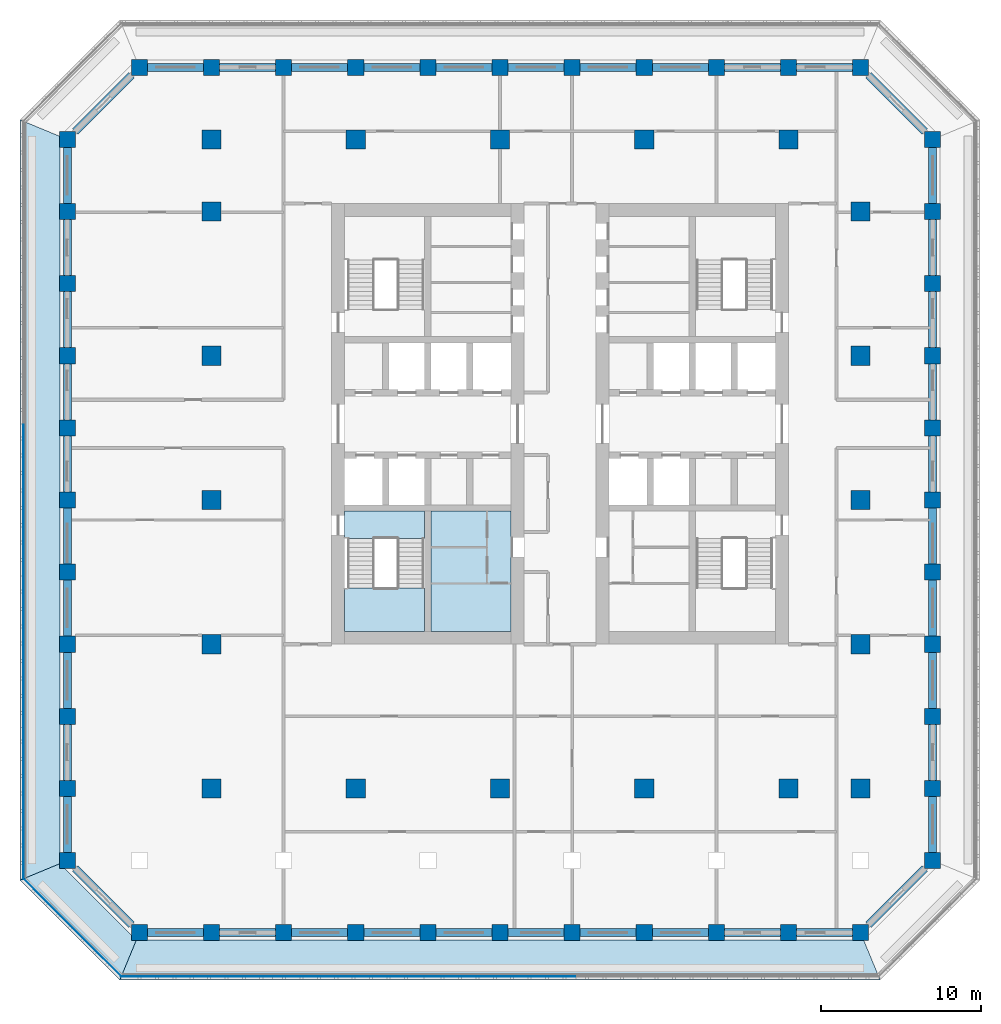
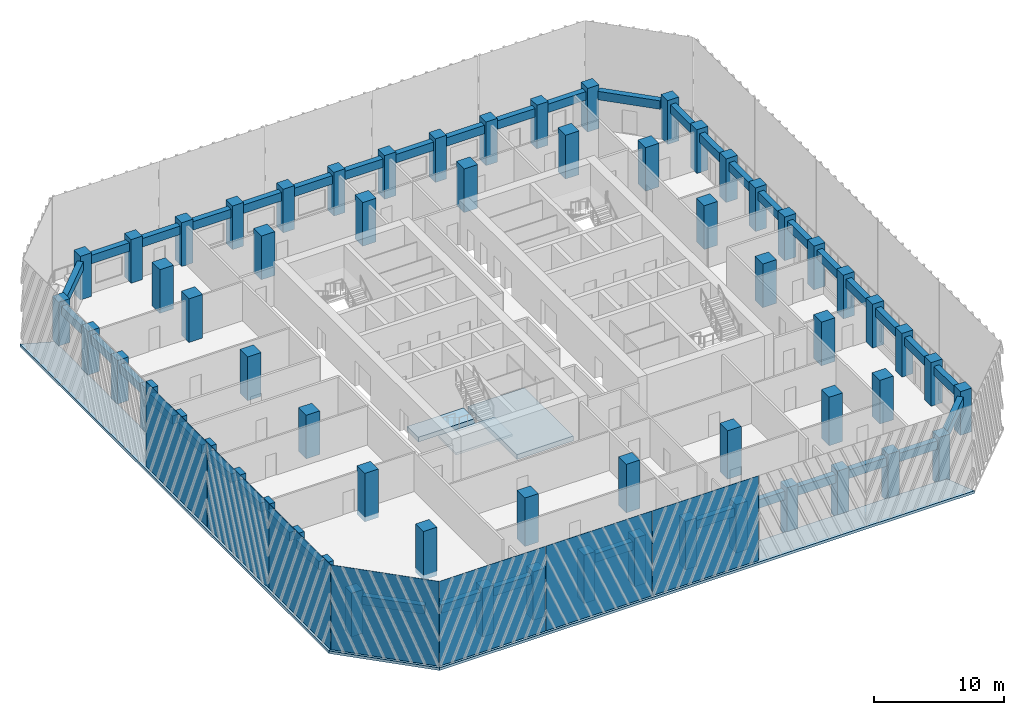
# One storey, part 1 of 17: 63 columns, 44 beams, 7 plates, 6 slabs, 1 element without a shape of its own.
"""IFC4 building model written with IfcOpenShell, lengths in metres."""

from ifc_helpers import new_model, si_unit, direction, frame, origin, origin_2d, place, context, subcontext, project, spatial, polyline, rectangle, outline, extrude, material, layer, layer_set, material_profile, profile_set, type_object, element, aggregate, save


model = new_model("IFC4")

# Units and contexts
model_context = context("Model", 3, precision=1e-05, world=origin(), true_north=direction((0.0, 1.0)))
body_context = subcontext(model_context, "Body", "Model", "MODEL_VIEW")
ifc_project = project(units=[si_unit("LENGTHUNIT", "METRE"), si_unit("AREAUNIT", "SQUARE_METRE"), si_unit("VOLUMEUNIT", "CUBIC_METRE"), si_unit("PLANEANGLEUNIT", "RADIAN"), si_unit("MASSUNIT", "GRAM", prefix="KILO")], contexts=[model_context])

# Site, building, storey
site_placement = place(None, origin())
site = spatial("IfcSite", under=ifc_project, at=site_placement, CompositionType="ELEMENT")
building_placement = place(site_placement, origin())
building = spatial("IfcBuilding", under=site, at=building_placement, Name="Corbel Stack Research Tower", CompositionType="ELEMENT")
storey_placement = place(building_placement, frame((0.0, 0.0, 156.800048828125)))
storey = spatial("IfcBuildingStorey", under=building, at=storey_placement, Name="L35", CompositionType="ELEMENT", Elevation=156.800048828125)

# Columns
ifc_material_1 = material(Name="Concrete C60/75", Category="concrete")
ifc_material_profile_1 = material_profile(ifc_material_1, rectangle(XDim=1.0, YDim=1.0, at=origin_2d()), Name="RC 1000 x 1000")
ifc_profile_set_1 = profile_set([ifc_material_profile_1], Name="Concrete C60/75")
column_type_1 = type_object("IfcColumnType", Name="C-1000-60", PredefinedType="COLUMN", material=ifc_profile_set_1)
for number, where, z_axis, x_axis, name in (
    (1, (-27.0, -22.5, 0.0), (0.0, 0.0, 1.0), (1.0, 0.0, 0.0), "Column 2/C L35"),
    (2, (-27.0, -18.0, 0.0), (0.0, 0.0, 1.0), (1.0, 0.0, 0.0), "Column 2/D L35"),
    (3, (-27.0, -13.5, 0.0), (0.0, 0.0, 1.0), (1.0, 0.0, 0.0), "Column 2/E L35"),
    (4, (-27.0, -9.0, 0.0), (0.0, 0.0, 1.0), (1.0, 0.0, 0.0), "Column 2/F L35"),
    (5, (-27.0, -4.5, 0.0), (0.0, 0.0, 1.0), (1.0, 0.0, 0.0), "Column 2/G L35"),
    (6, (-27.0, 0.0, 0.0), (0.0, 0.0, 1.0), (1.0, 0.0, 0.0), "Column 2/H L35"),
    (7, (-27.0, 4.5, 0.0), (0.0, 0.0, 1.0), (1.0, 0.0, 0.0), "Column 2/J L35"),
    (8, (-27.0, 9.0, 0.0), (0.0, 0.0, 1.0), (1.0, 0.0, 0.0), "Column 2/K L35"),
    (9, (-27.0, 13.5, 0.0), (0.0, 0.0, 1.0), (1.0, 0.0, 0.0), "Column 2/L L35"),
    (10, (-27.0, 18.0, 0.0), (0.0, 0.0, 1.0), (1.0, 0.0, 0.0), "Column 2/M L35"),
    (11, (-27.0, 22.5, 0.0), (0.0, 0.0, 1.0), (1.0, 0.0, 0.0), "Column 2/N L35"),
):
    element("IfcColumn", number, at=place(storey_placement, frame(where, z_axis=z_axis, x_axis=x_axis)), inside=storey, type_object=column_type_1, Name=name, PredefinedType="COLUMN", context=body_context, shape_type="SweptSolid", body=[
        extrude(rectangle(XDim=1.0, YDim=1.0, at=origin_2d()), origin(), (0.0, 0.0, 1.0), 4.099853515625),
    ])
column_1_placement = place(storey_placement, frame((-22.5, -27.0, -0.449951171875), z_axis=(0.0, 0.0, 1.0), x_axis=(1.0, 0.0, 0.0)))
element("IfcColumn", 12, at=column_1_placement, inside=storey, type_object=column_type_1, Name="Column 3/B L35", PredefinedType="COLUMN", context=body_context, shape_type="SweptSolid", body=[
    extrude(rectangle(XDim=1.0, YDim=1.0, at=origin_2d()), origin(), (0.0, 0.0, 1.0), 4.5498046875),
])
column_2_placement = place(storey_placement, frame((-22.5, 27.0, 0.0), z_axis=(0.0, 0.0, 1.0), x_axis=(1.0, 0.0, 0.0)))
element("IfcColumn", 13, at=column_2_placement, inside=storey, type_object=column_type_1, Name="Column 3/P L35", PredefinedType="COLUMN", context=body_context, shape_type="SweptSolid", body=[
    extrude(rectangle(XDim=1.0, YDim=1.0, at=origin_2d()), origin(), (0.0, 0.0, 1.0), 4.099853515625),
])
column_3_placement = place(storey_placement, frame((-18.0, -27.0, -0.449951171875), z_axis=(0.0, 0.0, 1.0), x_axis=(1.0, 0.0, 0.0)))
element("IfcColumn", 14, at=column_3_placement, inside=storey, type_object=column_type_1, Name="Column 4/B L35", PredefinedType="COLUMN", context=body_context, shape_type="SweptSolid", body=[
    extrude(rectangle(XDim=1.0, YDim=1.0, at=origin_2d()), origin(), (0.0, 0.0, 1.0), 4.5498046875),
])
column_4_placement = place(storey_placement, frame((-18.0, 27.0, 0.0), z_axis=(0.0, 0.0, 1.0), x_axis=(1.0, 0.0, 0.0)))
element("IfcColumn", 15, at=column_4_placement, inside=storey, type_object=column_type_1, Name="Column 4/P L35", PredefinedType="COLUMN", context=body_context, shape_type="SweptSolid", body=[
    extrude(rectangle(XDim=1.0, YDim=1.0, at=origin_2d()), origin(), (0.0, 0.0, 1.0), 4.099853515625),
])
column_5_placement = place(storey_placement, frame((-13.5, -27.0, -0.449951171875), z_axis=(0.0, 0.0, 1.0), x_axis=(1.0, 0.0, 0.0)))
element("IfcColumn", 16, at=column_5_placement, inside=storey, type_object=column_type_1, Name="Column 5/B L35", PredefinedType="COLUMN", context=body_context, shape_type="SweptSolid", body=[
    extrude(rectangle(XDim=1.0, YDim=1.0, at=origin_2d()), origin(), (0.0, 0.0, 1.0), 4.5498046875),
])
column_6_placement = place(storey_placement, frame((-13.5, 27.0, 0.0), z_axis=(0.0, 0.0, 1.0), x_axis=(1.0, 0.0, 0.0)))
element("IfcColumn", 17, at=column_6_placement, inside=storey, type_object=column_type_1, Name="Column 5/P L35", PredefinedType="COLUMN", context=body_context, shape_type="SweptSolid", body=[
    extrude(rectangle(XDim=1.0, YDim=1.0, at=origin_2d()), origin(), (0.0, 0.0, 1.0), 4.099853515625),
])
column_7_placement = place(storey_placement, frame((-9.0, -27.0, -0.449951171875), z_axis=(0.0, 0.0, 1.0), x_axis=(1.0, 0.0, 0.0)))
element("IfcColumn", 18, at=column_7_placement, inside=storey, type_object=column_type_1, Name="Column 6/B L35", PredefinedType="COLUMN", context=body_context, shape_type="SweptSolid", body=[
    extrude(rectangle(XDim=1.0, YDim=1.0, at=origin_2d()), origin(), (0.0, 0.0, 1.0), 4.5498046875),
])
column_8_placement = place(storey_placement, frame((-9.0, 27.0, 0.0), z_axis=(0.0, 0.0, 1.0), x_axis=(1.0, 0.0, 0.0)))
element("IfcColumn", 19, at=column_8_placement, inside=storey, type_object=column_type_1, Name="Column 6/P L35", PredefinedType="COLUMN", context=body_context, shape_type="SweptSolid", body=[
    extrude(rectangle(XDim=1.0, YDim=1.0, at=origin_2d()), origin(), (0.0, 0.0, 1.0), 4.099853515625),
])
column_9_placement = place(storey_placement, frame((-4.5, -27.0, -0.449951171875), z_axis=(0.0, 0.0, 1.0), x_axis=(1.0, 0.0, 0.0)))
element("IfcColumn", 20, at=column_9_placement, inside=storey, type_object=column_type_1, Name="Column 7/B L35", PredefinedType="COLUMN", context=body_context, shape_type="SweptSolid", body=[
    extrude(rectangle(XDim=1.0, YDim=1.0, at=origin_2d()), origin(), (0.0, 0.0, 1.0), 4.5498046875),
])
column_10_placement = place(storey_placement, frame((-4.5, 27.0, 0.0), z_axis=(0.0, 0.0, 1.0), x_axis=(1.0, 0.0, 0.0)))
element("IfcColumn", 21, at=column_10_placement, inside=storey, type_object=column_type_1, Name="Column 7/P L35", PredefinedType="COLUMN", context=body_context, shape_type="SweptSolid", body=[
    extrude(rectangle(XDim=1.0, YDim=1.0, at=origin_2d()), origin(), (0.0, 0.0, 1.0), 4.099853515625),
])
column_11_placement = place(storey_placement, frame((0.0, -27.0, -0.449951171875), z_axis=(0.0, 0.0, 1.0), x_axis=(1.0, 0.0, 0.0)))
element("IfcColumn", 22, at=column_11_placement, inside=storey, type_object=column_type_1, Name="Column 8/B L35", PredefinedType="COLUMN", context=body_context, shape_type="SweptSolid", body=[
    extrude(rectangle(XDim=1.0, YDim=1.0, at=origin_2d()), origin(), (0.0, 0.0, 1.0), 4.5498046875),
])
column_12_placement = place(storey_placement, frame((0.0, 27.0, 0.0), z_axis=(0.0, 0.0, 1.0), x_axis=(1.0, 0.0, 0.0)))
element("IfcColumn", 23, at=column_12_placement, inside=storey, type_object=column_type_1, Name="Column 8/P L35", PredefinedType="COLUMN", context=body_context, shape_type="SweptSolid", body=[
    extrude(rectangle(XDim=1.0, YDim=1.0, at=origin_2d()), origin(), (0.0, 0.0, 1.0), 4.099853515625),
])
column_13_placement = place(storey_placement, frame((4.5, -27.0, -0.449951171875), z_axis=(0.0, 0.0, 1.0), x_axis=(1.0, 0.0, 0.0)))
element("IfcColumn", 24, at=column_13_placement, inside=storey, type_object=column_type_1, Name="Column 9/B L35", PredefinedType="COLUMN", context=body_context, shape_type="SweptSolid", body=[
    extrude(rectangle(XDim=1.0, YDim=1.0, at=origin_2d()), origin(), (0.0, 0.0, 1.0), 4.5498046875),
])
column_14_placement = place(storey_placement, frame((4.5, 27.0, 0.0), z_axis=(0.0, 0.0, 1.0), x_axis=(1.0, 0.0, 0.0)))
element("IfcColumn", 25, at=column_14_placement, inside=storey, type_object=column_type_1, Name="Column 9/P L35", PredefinedType="COLUMN", context=body_context, shape_type="SweptSolid", body=[
    extrude(rectangle(XDim=1.0, YDim=1.0, at=origin_2d()), origin(), (0.0, 0.0, 1.0), 4.099853515625),
])
column_15_placement = place(storey_placement, frame((9.0, -27.0, -0.449951171875), z_axis=(0.0, 0.0, 1.0), x_axis=(1.0, 0.0, 0.0)))
element("IfcColumn", 26, at=column_15_placement, inside=storey, type_object=column_type_1, Name="Column 10/B L35", PredefinedType="COLUMN", context=body_context, shape_type="SweptSolid", body=[
    extrude(rectangle(XDim=1.0, YDim=1.0, at=origin_2d()), origin(), (0.0, 0.0, 1.0), 4.5498046875),
])
column_16_placement = place(storey_placement, frame((9.0, 27.0, 0.0), z_axis=(0.0, 0.0, 1.0), x_axis=(1.0, 0.0, 0.0)))
element("IfcColumn", 27, at=column_16_placement, inside=storey, type_object=column_type_1, Name="Column 10/P L35", PredefinedType="COLUMN", context=body_context, shape_type="SweptSolid", body=[
    extrude(rectangle(XDim=1.0, YDim=1.0, at=origin_2d()), origin(), (0.0, 0.0, 1.0), 4.099853515625),
])
column_17_placement = place(storey_placement, frame((13.5, -27.0, -0.449951171875), z_axis=(0.0, 0.0, 1.0), x_axis=(1.0, 0.0, 0.0)))
element("IfcColumn", 28, at=column_17_placement, inside=storey, type_object=column_type_1, Name="Column 11/B L35", PredefinedType="COLUMN", context=body_context, shape_type="SweptSolid", body=[
    extrude(rectangle(XDim=1.0, YDim=1.0, at=origin_2d()), origin(), (0.0, 0.0, 1.0), 4.5498046875),
])
column_18_placement = place(storey_placement, frame((13.5, 27.0, 0.0), z_axis=(0.0, 0.0, 1.0), x_axis=(1.0, 0.0, 0.0)))
element("IfcColumn", 29, at=column_18_placement, inside=storey, type_object=column_type_1, Name="Column 11/P L35", PredefinedType="COLUMN", context=body_context, shape_type="SweptSolid", body=[
    extrude(rectangle(XDim=1.0, YDim=1.0, at=origin_2d()), origin(), (0.0, 0.0, 1.0), 4.099853515625),
])
column_19_placement = place(storey_placement, frame((18.0, -27.0, -0.449951171875), z_axis=(0.0, 0.0, 1.0), x_axis=(1.0, 0.0, 0.0)))
element("IfcColumn", 30, at=column_19_placement, inside=storey, type_object=column_type_1, Name="Column 12/B L35", PredefinedType="COLUMN", context=body_context, shape_type="SweptSolid", body=[
    extrude(rectangle(XDim=1.0, YDim=1.0, at=origin_2d()), origin(), (0.0, 0.0, 1.0), 4.5498046875),
])
column_20_placement = place(storey_placement, frame((18.0, 27.0, 0.0), z_axis=(0.0, 0.0, 1.0), x_axis=(1.0, 0.0, 0.0)))
element("IfcColumn", 31, at=column_20_placement, inside=storey, type_object=column_type_1, Name="Column 12/P L35", PredefinedType="COLUMN", context=body_context, shape_type="SweptSolid", body=[
    extrude(rectangle(XDim=1.0, YDim=1.0, at=origin_2d()), origin(), (0.0, 0.0, 1.0), 4.099853515625),
])
column_21_placement = place(storey_placement, frame((22.5, -27.0, -0.449951171875), z_axis=(0.0, 0.0, 1.0), x_axis=(1.0, 0.0, 0.0)))
element("IfcColumn", 32, at=column_21_placement, inside=storey, type_object=column_type_1, Name="Column 13/B L35", PredefinedType="COLUMN", context=body_context, shape_type="SweptSolid", body=[
    extrude(rectangle(XDim=1.0, YDim=1.0, at=origin_2d()), origin(), (0.0, 0.0, 1.0), 4.5498046875),
])
for number, where, z_axis, x_axis, name in (
    (33, (22.5, 27.0, 0.0), (0.0, 0.0, 1.0), (1.0, 0.0, 0.0), "Column 13/P L35"),
    (34, (27.0, -22.5, 0.0), (0.0, 0.0, 1.0), (1.0, 0.0, 0.0), "Column 14/C L35"),
    (35, (27.0, -18.0, 0.0), (0.0, 0.0, 1.0), (1.0, 0.0, 0.0), "Column 14/D L35"),
    (36, (27.0, -13.5, 0.0), (0.0, 0.0, 1.0), (1.0, 0.0, 0.0), "Column 14/E L35"),
    (37, (27.0, -9.0, 0.0), (0.0, 0.0, 1.0), (1.0, 0.0, 0.0), "Column 14/F L35"),
    (38, (27.0, -4.5, 0.0), (0.0, 0.0, 1.0), (1.0, 0.0, 0.0), "Column 14/G L35"),
    (39, (27.0, 0.0, 0.0), (0.0, 0.0, 1.0), (1.0, 0.0, 0.0), "Column 14/H L35"),
    (40, (27.0, 4.5, 0.0), (0.0, 0.0, 1.0), (1.0, 0.0, 0.0), "Column 14/J L35"),
    (41, (27.0, 9.0, 0.0), (0.0, 0.0, 1.0), (1.0, 0.0, 0.0), "Column 14/K L35"),
    (42, (27.0, 13.5, 0.0), (0.0, 0.0, 1.0), (1.0, 0.0, 0.0), "Column 14/L L35"),
    (43, (27.0, 18.0, 0.0), (0.0, 0.0, 1.0), (1.0, 0.0, 0.0), "Column 14/M L35"),
    (44, (27.0, 22.5, 0.0), (0.0, 0.0, 1.0), (1.0, 0.0, 0.0), "Column 14/N L35"),
):
    element("IfcColumn", number, at=place(storey_placement, frame(where, z_axis=z_axis, x_axis=x_axis)), inside=storey, type_object=column_type_1, Name=name, PredefinedType="COLUMN", context=body_context, shape_type="SweptSolid", body=[
        extrude(rectangle(XDim=1.0, YDim=1.0, at=origin_2d()), origin(), (0.0, 0.0, 1.0), 4.099853515625),
    ])
ifc_material_2 = material(Name="Concrete C60/75", Category="concrete")
ifc_material_profile_2 = material_profile(ifc_material_2, rectangle(XDim=1.199951171875, YDim=1.199951171875, at=origin_2d()), Name="RC 1200 x 1200")
ifc_profile_set_2 = profile_set([ifc_material_profile_2], Name="Concrete C60/75")
column_type_2 = type_object("IfcColumnType", Name="C-1200-60", PredefinedType="COLUMN", material=ifc_profile_set_2)
for number, where, z_axis, x_axis, name in (
    (45, (-18.0, -18.0, -0.449951171875), (0.0, 0.0, 1.0), (1.0, 0.0, 0.0), "Column 4/D L35"),
    (46, (-18.0, -9.0, -0.449951171875), (0.0, 0.0, 1.0), (1.0, 0.0, 0.0), "Column 4/F L35"),
):
    element("IfcColumn", number, at=place(storey_placement, frame(where, z_axis=z_axis, x_axis=x_axis)), inside=storey, type_object=column_type_2, Name=name, PredefinedType="COLUMN", context=body_context, shape_type="SweptSolid", body=[
        extrude(rectangle(XDim=1.199951171875, YDim=1.199951171875, at=origin_2d()), origin(), (0.0, 0.0, 1.0), 4.5498046875),
    ])
for number, where, z_axis, x_axis, name in (
    (47, (-18.0, 0.0, 0.0), (0.0, 0.0, 1.0), (1.0, 0.0, 0.0), "Column 4/H L35"),
    (48, (-18.0, 9.0, 0.0), (0.0, 0.0, 1.0), (1.0, 0.0, 0.0), "Column 4/K L35"),
    (49, (-18.0, 18.0, 0.0), (0.0, 0.0, 1.0), (1.0, 0.0, 0.0), "Column 4/M L35"),
    (50, (-18.0, 22.5, 0.0), (0.0, 0.0, 1.0), (1.0, 0.0, 0.0), "Column 4/N L35"),
):
    element("IfcColumn", number, at=place(storey_placement, frame(where, z_axis=z_axis, x_axis=x_axis)), inside=storey, type_object=column_type_2, Name=name, PredefinedType="COLUMN", context=body_context, shape_type="SweptSolid", body=[
        extrude(rectangle(XDim=1.199951171875, YDim=1.199951171875, at=origin_2d()), origin(), (0.0, 0.0, 1.0), 4.099853515625),
    ])
column_22_placement = place(storey_placement, frame((-9.0, -18.0, -0.449951171875), z_axis=(0.0, 0.0, 1.0), x_axis=(1.0, 0.0, 0.0)))
element("IfcColumn", 51, at=column_22_placement, inside=storey, type_object=column_type_2, Name="Column 6/D L35", PredefinedType="COLUMN", context=body_context, shape_type="SweptSolid", body=[
    extrude(rectangle(XDim=1.199951171875, YDim=1.199951171875, at=origin_2d()), origin(), (0.0, 0.0, 1.0), 4.5498046875),
])
column_23_placement = place(storey_placement, frame((-9.0, 22.5, 0.0), z_axis=(0.0, 0.0, 1.0), x_axis=(1.0, 0.0, 0.0)))
element("IfcColumn", 52, at=column_23_placement, inside=storey, type_object=column_type_2, Name="Column 6/N L35", PredefinedType="COLUMN", context=body_context, shape_type="SweptSolid", body=[
    extrude(rectangle(XDim=1.199951171875, YDim=1.199951171875, at=origin_2d()), origin(), (0.0, 0.0, 1.0), 4.099853515625),
])
column_24_placement = place(storey_placement, frame((0.0, -18.0, -0.449951171875), z_axis=(0.0, 0.0, 1.0), x_axis=(1.0, 0.0, 0.0)))
element("IfcColumn", 53, at=column_24_placement, inside=storey, type_object=column_type_2, Name="Column 8/D L35", PredefinedType="COLUMN", context=body_context, shape_type="SweptSolid", body=[
    extrude(rectangle(XDim=1.199951171875, YDim=1.199951171875, at=origin_2d()), origin(), (0.0, 0.0, 1.0), 4.5498046875),
])
column_25_placement = place(storey_placement, frame((0.0, 22.5, 0.0), z_axis=(0.0, 0.0, 1.0), x_axis=(1.0, 0.0, 0.0)))
element("IfcColumn", 54, at=column_25_placement, inside=storey, type_object=column_type_2, Name="Column 8/N L35", PredefinedType="COLUMN", context=body_context, shape_type="SweptSolid", body=[
    extrude(rectangle(XDim=1.199951171875, YDim=1.199951171875, at=origin_2d()), origin(), (0.0, 0.0, 1.0), 4.099853515625),
])
column_26_placement = place(storey_placement, frame((9.0, -18.0, -0.449951171875), z_axis=(0.0, 0.0, 1.0), x_axis=(1.0, 0.0, 0.0)))
element("IfcColumn", 55, at=column_26_placement, inside=storey, type_object=column_type_2, Name="Column 10/D L35", PredefinedType="COLUMN", context=body_context, shape_type="SweptSolid", body=[
    extrude(rectangle(XDim=1.199951171875, YDim=1.199951171875, at=origin_2d()), origin(), (0.0, 0.0, 1.0), 4.5498046875),
])
column_27_placement = place(storey_placement, frame((9.0, 22.5, 0.0), z_axis=(0.0, 0.0, 1.0), x_axis=(1.0, 0.0, 0.0)))
element("IfcColumn", 56, at=column_27_placement, inside=storey, type_object=column_type_2, Name="Column 10/N L35", PredefinedType="COLUMN", context=body_context, shape_type="SweptSolid", body=[
    extrude(rectangle(XDim=1.199951171875, YDim=1.199951171875, at=origin_2d()), origin(), (0.0, 0.0, 1.0), 4.099853515625),
])
column_28_placement = place(storey_placement, frame((18.0, -18.0, -0.449951171875), z_axis=(0.0, 0.0, 1.0), x_axis=(1.0, 0.0, 0.0)))
element("IfcColumn", 57, at=column_28_placement, inside=storey, type_object=column_type_2, Name="Column 12/D L35", PredefinedType="COLUMN", context=body_context, shape_type="SweptSolid", body=[
    extrude(rectangle(XDim=1.199951171875, YDim=1.199951171875, at=origin_2d()), origin(), (0.0, 0.0, 1.0), 4.5498046875),
])
for number, where, z_axis, x_axis, name in (
    (58, (18.0, 22.5, 0.0), (0.0, 0.0, 1.0), (1.0, 0.0, 0.0), "Column 12/N L35"),
    (59, (22.5, -18.0, 0.0), (0.0, 0.0, 1.0), (1.0, 0.0, 0.0), "Column 13/D L35"),
    (60, (22.5, -9.0, 0.0), (0.0, 0.0, 1.0), (1.0, 0.0, 0.0), "Column 13/F L35"),
    (61, (22.5, 0.0, 0.0), (0.0, 0.0, 1.0), (1.0, 0.0, 0.0), "Column 13/H L35"),
    (62, (22.5, 9.0, 0.0), (0.0, 0.0, 1.0), (1.0, 0.0, 0.0), "Column 13/K L35"),
    (63, (22.5, 18.0, 0.0), (0.0, 0.0, 1.0), (1.0, 0.0, 0.0), "Column 13/M L35"),
):
    element("IfcColumn", number, at=place(storey_placement, frame(where, z_axis=z_axis, x_axis=x_axis)), inside=storey, type_object=column_type_2, Name=name, PredefinedType="COLUMN", context=body_context, shape_type="SweptSolid", body=[
        extrude(rectangle(XDim=1.199951171875, YDim=1.199951171875, at=origin_2d()), origin(), (0.0, 0.0, 1.0), 4.099853515625),
    ])

# Beams
ifc_material_3 = material(Name="Concrete C60/75", Category="concrete")
ifc_material_profile_3 = material_profile(ifc_material_3, rectangle(XDim=0.5, YDim=0.800048828125, at=origin_2d()), Name="RC 500 x 800")
ifc_profile_set_3 = profile_set([ifc_material_profile_3], Name="Concrete C60/75")
beam_type = type_object("IfcBeamType", Name="SB-500-800-450", PredefinedType="SPANDREL", material=ifc_profile_set_3)
for number, where, z_axis, x_axis, name in (
    (64, (-22.0, -27.0, 3.25), (1.0, 0.0, 0.0), (0.0, 1.0, 0.0), "Spandrel beam L35-01"),
    (65, (-17.5, -27.0, 3.25), (1.0, 0.0, 0.0), (0.0, 1.0, 0.0), "Spandrel beam L35-02"),
    (66, (-13.0, -27.0, 3.25), (1.0, 0.0, 0.0), (0.0, 1.0, 0.0), "Spandrel beam L35-03"),
    (67, (-8.5, -27.0, 3.25), (1.0, 0.0, 0.0), (0.0, 1.0, 0.0), "Spandrel beam L35-04"),
    (68, (-4.0, -27.0, 3.25), (1.0, 0.0, 0.0), (0.0, 1.0, 0.0), "Spandrel beam L35-05"),
    (69, (0.5, -27.0, 3.25), (1.0, 0.0, 0.0), (0.0, 1.0, 0.0), "Spandrel beam L35-06"),
    (70, (5.0, -27.0, 3.25), (1.0, 0.0, 0.0), (0.0, 1.0, 0.0), "Spandrel beam L35-07"),
    (71, (9.5, -27.0, 3.25), (1.0, 0.0, 0.0), (0.0, 1.0, 0.0), "Spandrel beam L35-08"),
    (72, (14.0, -27.0, 3.25), (1.0, 0.0, 0.0), (0.0, 1.0, 0.0), "Spandrel beam L35-09"),
    (73, (18.5, -27.0, 3.25), (1.0, 0.0, 0.0), (0.0, 1.0, 0.0), "Spandrel beam L35-10"),
):
    element("IfcBeam", number, at=place(storey_placement, frame(where, z_axis=z_axis, x_axis=x_axis)), inside=storey, type_object=beam_type, Name=name, PredefinedType="SPANDREL", context=body_context, shape_type="SweptSolid", body=[
        extrude(rectangle(XDim=0.5, YDim=0.800048828125, at=origin_2d()), origin(), (0.0, 0.0, 1.0), 3.5),
    ])
beam_1_placement = place(storey_placement, frame((23.0, -26.5, 3.25), z_axis=(0.707106781187, 0.707106781187, 0.0), x_axis=(-0.707106781187, 0.707106781187, 0.0)))
element("IfcBeam", 74, at=beam_1_placement, inside=storey, type_object=beam_type, Name="Spandrel beam L35-11", PredefinedType="SPANDREL", context=body_context, shape_type="SweptSolid", body=[
    extrude(rectangle(XDim=0.5, YDim=0.800048828125, at=origin_2d()), origin(), (0.0, 0.0, 1.0), 4.94970703125),
])
for number, where, z_axis, x_axis, name in (
    (75, (27.0, -22.0, 3.25), (0.0, 1.0, 0.0), (-1.0, 0.0, 0.0), "Spandrel beam L35-12"),
    (76, (27.0, -17.5, 3.25), (0.0, 1.0, 0.0), (-1.0, 0.0, 0.0), "Spandrel beam L35-13"),
    (77, (27.0, -13.0, 3.25), (0.0, 1.0, 0.0), (-1.0, 0.0, 0.0), "Spandrel beam L35-14"),
    (78, (27.0, -8.5, 3.25), (0.0, 1.0, 0.0), (-1.0, 0.0, 0.0), "Spandrel beam L35-15"),
    (79, (27.0, -4.0, 3.25), (0.0, 1.0, 0.0), (-1.0, 0.0, 0.0), "Spandrel beam L35-16"),
    (80, (27.0, 0.5, 3.25), (0.0, 1.0, 0.0), (-1.0, 0.0, 0.0), "Spandrel beam L35-17"),
    (81, (27.0, 5.0, 3.25), (0.0, 1.0, 0.0), (-1.0, 0.0, 0.0), "Spandrel beam L35-18"),
    (82, (27.0, 9.5, 3.25), (0.0, 1.0, 0.0), (-1.0, 0.0, 0.0), "Spandrel beam L35-19"),
    (83, (27.0, 14.0, 3.25), (0.0, 1.0, 0.0), (-1.0, 0.0, 0.0), "Spandrel beam L35-20"),
    (84, (27.0, 18.5, 3.25), (0.0, 1.0, 0.0), (-1.0, 0.0, 0.0), "Spandrel beam L35-21"),
):
    element("IfcBeam", number, at=place(storey_placement, frame(where, z_axis=z_axis, x_axis=x_axis)), inside=storey, type_object=beam_type, Name=name, PredefinedType="SPANDREL", context=body_context, shape_type="SweptSolid", body=[
        extrude(rectangle(XDim=0.5, YDim=0.800048828125, at=origin_2d()), origin(), (0.0, 0.0, 1.0), 3.5),
    ])
beam_2_placement = place(storey_placement, frame((26.5, 23.0, 3.25), z_axis=(-0.707106781187, 0.707106781187, 0.0), x_axis=(-0.707106781187, -0.707106781187, 0.0)))
element("IfcBeam", 85, at=beam_2_placement, inside=storey, type_object=beam_type, Name="Spandrel beam L35-22", PredefinedType="SPANDREL", context=body_context, shape_type="SweptSolid", body=[
    extrude(rectangle(XDim=0.5, YDim=0.800048828125, at=origin_2d()), origin(), (0.0, 0.0, 1.0), 4.94970703125),
])
for number, where, z_axis, x_axis, name in (
    (86, (22.0, 27.0, 3.25), (-1.0, 0.0, 0.0), (0.0, -1.0, 0.0), "Spandrel beam L35-23"),
    (87, (17.5, 27.0, 3.25), (-1.0, 0.0, 0.0), (0.0, -1.0, 0.0), "Spandrel beam L35-24"),
    (88, (13.0, 27.0, 3.25), (-1.0, 0.0, 0.0), (0.0, -1.0, 0.0), "Spandrel beam L35-25"),
    (89, (8.5, 27.0, 3.25), (-1.0, 0.0, 0.0), (0.0, -1.0, 0.0), "Spandrel beam L35-26"),
    (90, (4.0, 27.0, 3.25), (-1.0, 0.0, 0.0), (0.0, -1.0, 0.0), "Spandrel beam L35-27"),
    (91, (-0.5, 27.0, 3.25), (-1.0, 0.0, 0.0), (0.0, -1.0, 0.0), "Spandrel beam L35-28"),
    (92, (-5.0, 27.0, 3.25), (-1.0, 0.0, 0.0), (0.0, -1.0, 0.0), "Spandrel beam L35-29"),
    (93, (-9.5, 27.0, 3.25), (-1.0, 0.0, 0.0), (0.0, -1.0, 0.0), "Spandrel beam L35-30"),
    (94, (-14.0, 27.0, 3.25), (-1.0, 0.0, 0.0), (0.0, -1.0, 0.0), "Spandrel beam L35-31"),
    (95, (-18.5, 27.0, 3.25), (-1.0, 0.0, 0.0), (0.0, -1.0, 0.0), "Spandrel beam L35-32"),
):
    element("IfcBeam", number, at=place(storey_placement, frame(where, z_axis=z_axis, x_axis=x_axis)), inside=storey, type_object=beam_type, Name=name, PredefinedType="SPANDREL", context=body_context, shape_type="SweptSolid", body=[
        extrude(rectangle(XDim=0.5, YDim=0.800048828125, at=origin_2d()), origin(), (0.0, 0.0, 1.0), 3.5),
    ])
beam_3_placement = place(storey_placement, frame((-23.0, 26.5, 3.25), z_axis=(-0.707106781187, -0.707106781187, 0.0), x_axis=(0.707106781187, -0.707106781187, 0.0)))
element("IfcBeam", 96, at=beam_3_placement, inside=storey, type_object=beam_type, Name="Spandrel beam L35-33", PredefinedType="SPANDREL", context=body_context, shape_type="SweptSolid", body=[
    extrude(rectangle(XDim=0.5, YDim=0.800048828125, at=origin_2d()), origin(), (0.0, 0.0, 1.0), 4.94970703125),
])
for number, where, z_axis, x_axis, name in (
    (97, (-27.0, 22.0, 3.25), (0.0, -1.0, 0.0), (1.0, 0.0, 0.0), "Spandrel beam L35-34"),
    (98, (-27.0, 17.5, 3.25), (0.0, -1.0, 0.0), (1.0, 0.0, 0.0), "Spandrel beam L35-35"),
    (99, (-27.0, 13.0, 3.25), (0.0, -1.0, 0.0), (1.0, 0.0, 0.0), "Spandrel beam L35-36"),
    (100, (-27.0, 8.5, 3.25), (0.0, -1.0, 0.0), (1.0, 0.0, 0.0), "Spandrel beam L35-37"),
    (101, (-27.0, 4.0, 3.25), (0.0, -1.0, 0.0), (1.0, 0.0, 0.0), "Spandrel beam L35-38"),
    (102, (-27.0, -0.5, 3.25), (0.0, -1.0, 0.0), (1.0, 0.0, 0.0), "Spandrel beam L35-39"),
    (103, (-27.0, -5.0, 3.25), (0.0, -1.0, 0.0), (1.0, 0.0, 0.0), "Spandrel beam L35-40"),
    (104, (-27.0, -9.5, 3.25), (0.0, -1.0, 0.0), (1.0, 0.0, 0.0), "Spandrel beam L35-41"),
    (105, (-27.0, -14.0, 3.25), (0.0, -1.0, 0.0), (1.0, 0.0, 0.0), "Spandrel beam L35-42"),
    (106, (-27.0, -18.5, 3.25), (0.0, -1.0, 0.0), (1.0, 0.0, 0.0), "Spandrel beam L35-43"),
):
    element("IfcBeam", number, at=place(storey_placement, frame(where, z_axis=z_axis, x_axis=x_axis)), inside=storey, type_object=beam_type, Name=name, PredefinedType="SPANDREL", context=body_context, shape_type="SweptSolid", body=[
        extrude(rectangle(XDim=0.5, YDim=0.800048828125, at=origin_2d()), origin(), (0.0, 0.0, 1.0), 3.5),
    ])
beam_4_placement = place(storey_placement, frame((-26.5, -23.0, 3.25), z_axis=(0.707106781187, -0.707106781187, 0.0), x_axis=(0.707106781187, 0.707106781187, 0.0)))
element("IfcBeam", 107, at=beam_4_placement, inside=storey, type_object=beam_type, Name="Spandrel beam L35-44", PredefinedType="SPANDREL", context=body_context, shape_type="SweptSolid", body=[
    extrude(rectangle(XDim=0.5, YDim=0.800048828125, at=origin_2d()), origin(), (0.0, 0.0, 1.0), 4.94970703125),
])

# Plates
ifc_material_4 = material(Name="Fritted glass", Category="glass")
ifc_layer_1 = layer(ifc_material_4, 0.02490234375)
ifc_layer_set_1 = layer_set([ifc_layer_1], Name="Fritted glass")
plate_type = type_object("IfcPlateType", Name="Fritted glass panel 25", PredefinedType="SHEET", material=ifc_layer_set_1)
for number, where, z_axis, x_axis, name in (
    (108, (-18.911376953125, -29.737548828125, 0.0), (0.0, 0.0, 1.0), (1.0, 0.0, 0.0), "Fritted glass L35 S1"),
    (109, (-9.45556640625, -29.737548828125, 0.0), (0.0, 0.0, 1.0), (1.0, 0.0, 0.0), "Fritted glass L35 S2"),
    (110, (0.0, -29.737548828125, 0.0), (0.0, 0.0, 1.0), (1.0, 0.0, 0.0), "Fritted glass L35 S3"),
    (111, (-29.737548828125, 0.0, 0.0), (0.0, 0.0, 1.0), (0.0, -1.0, 0.0), "Fritted glass L35 W3"),
    (112, (-29.737548828125, -9.45556640625, 0.0), (0.0, 0.0, 1.0), (0.0, -1.0, 0.0), "Fritted glass L35 W4"),
    (113, (-29.737548828125, -18.911376953125, 0.0), (0.0, 0.0, 1.0), (0.0, -1.0, 0.0), "Fritted glass L35 W5"),
):
    element("IfcPlate", number, at=place(storey_placement, frame(where, z_axis=z_axis, x_axis=x_axis)), inside=storey, type_object=plate_type, Name=name, PredefinedType="SHEET", context=body_context, shape_type="SweptSolid", body=[
        extrude(rectangle(XDim=9.3955078125, YDim=0.02490234375, at=origin_2d()), origin(), (0.0, 0.0, 1.0), 7.949951171875),
    ])
plate_placement = place(storey_placement, frame((-26.685791015625, -26.685791015625, 0.0), z_axis=(0.0, 0.0, 1.0), x_axis=(0.707106781187, -0.707106781187, 0.0)))
element("IfcPlate", 114, at=plate_placement, inside=storey, type_object=plate_type, Name="Fritted glass L35 SW1", PredefinedType="SHEET", context=body_context, shape_type="SweptSolid", body=[
    extrude(rectangle(XDim=8.58203125, YDim=0.02490234375, at=origin_2d()), origin(), (0.0, 0.0, 1.0), 7.949951171875),
])

# Slabs
ifc_material_5 = material(Name="Concrete C45/55", Category="concrete")
ifc_layer_2 = layer(ifc_material_5, 0.25)
ifc_layer_set_2 = layer_set([ifc_layer_2], Name="Concrete C45/55")
slab_type_1 = type_object("IfcSlabType", Name="PT balcony slab 250 C45/55", PredefinedType="FLOOR", material=ifc_layer_set_2)
slab_1_placement = place(storey_placement, frame((0.0, 0.0, -0.25)))
element("IfcSlab", 115, at=slab_1_placement, inside=storey, type_object=slab_type_1, Name="Loggia slab L35 S", PredefinedType="FLOOR", context=body_context, shape_type="SweptSolid", body=[
    extrude(outline(polyline([(22.70703125, -27.5), (22.0, -27.5), (22.0, -27.449951171875), (18.5, -27.449951171875), (18.5, -27.5), (17.5, -27.5), (17.5, -27.449951171875), (14.0, -27.449951171875), (14.0, -27.5), (13.0, -27.5), (13.0, -27.449951171875), (9.5, -27.449951171875), (9.5, -27.5), (8.5, -27.5), (8.5, -27.449951171875), (5.0, -27.449951171875), (5.0, -27.5), (4.0, -27.5), (4.0, -27.449951171875), (0.5, -27.449951171875), (0.5, -27.5), (-0.5, -27.5), (-0.5, -27.449951171875), (-4.0, -27.449951171875), (-4.0, -27.5), (-5.0, -27.5), (-5.0, -27.449951171875), (-8.5, -27.449951171875), (-8.5, -27.5), (-9.5, -27.5), (-9.5, -27.449951171875), (-13.0, -27.449951171875), (-13.0, -27.5), (-14.0, -27.5), (-14.0, -27.449951171875), (-17.5, -27.449951171875), (-17.5, -27.5), (-18.5, -27.5), (-18.5, -27.449951171875), (-22.0, -27.449951171875), (-22.0, -27.5), (-22.70703125, -27.5), (-23.721923828125, -29.949951171875), (23.721923828125, -29.949951171875), (22.70703125, -27.5)])), origin(), (0.0, 0.0, 1.0), 0.25),
])
slab_2_placement = place(storey_placement, frame((0.0, 0.0, -0.25)))
element("IfcSlab", 116, at=slab_2_placement, inside=storey, type_object=slab_type_1, Name="Loggia slab L35 W", PredefinedType="FLOOR", context=body_context, shape_type="SweptSolid", body=[
    extrude(outline(polyline([(-27.5, -22.70703125), (-27.5, -22.0), (-27.449951171875, -22.0), (-27.449951171875, -18.5), (-27.5, -18.5), (-27.5, -17.5), (-27.449951171875, -17.5), (-27.449951171875, -14.0), (-27.5, -14.0), (-27.5, -13.0), (-27.449951171875, -13.0), (-27.449951171875, -9.5), (-27.5, -9.5), (-27.5, -8.5), (-27.449951171875, -8.5), (-27.449951171875, -5.0), (-27.5, -5.0), (-27.5, -4.0), (-27.449951171875, -4.0), (-27.449951171875, -0.5), (-27.5, -0.5), (-27.5, 0.5), (-27.449951171875, 0.5), (-27.449951171875, 4.0), (-27.5, 4.0), (-27.5, 5.0), (-27.449951171875, 5.0), (-27.449951171875, 8.5), (-27.5, 8.5), (-27.5, 9.5), (-27.449951171875, 9.5), (-27.449951171875, 13.0), (-27.5, 13.0), (-27.5, 14.0), (-27.449951171875, 14.0), (-27.449951171875, 17.5), (-27.5, 17.5), (-27.5, 18.5), (-27.449951171875, 18.5), (-27.449951171875, 22.0), (-27.5, 22.0), (-27.5, 22.70703125), (-29.949951171875, 23.721923828125), (-29.949951171875, -23.721923828125), (-27.5, -22.70703125)])), origin(), (0.0, 0.0, 1.0), 0.25),
])
slab_3_placement = place(storey_placement, frame((0.0, 0.0, -0.25)))
element("IfcSlab", 117, at=slab_3_placement, inside=storey, type_object=slab_type_1, Name="Loggia slab L35 SW", PredefinedType="FLOOR", context=body_context, shape_type="SweptSolid", body=[
    extrude(outline(polyline([(-22.70703125, -27.5), (-23.0, -27.5), (-23.0, -27.136474609375), (-27.136474609375, -23.0), (-27.5, -23.0), (-27.5, -22.70703125), (-29.949951171875, -23.721923828125), (-23.721923828125, -29.949951171875), (-22.70703125, -27.5)])), origin(), (0.0, 0.0, 1.0), 0.25),
])
ifc_material_6 = material(Name="Concrete C45/55", Category="concrete")
ifc_layer_3 = layer(ifc_material_6, 0.449951171875)
ifc_layer_set_3 = layer_set([ifc_layer_3], Name="Concrete C45/55")
slab_type_2 = type_object("IfcSlabType", Name="PT-450", PredefinedType="FLOOR", material=ifc_layer_set_3)
slab_4_placement = place(storey_placement, frame((0.0, 0.0, -0.449951171875)))
element("IfcSlab", 118, at=slab_4_placement, inside=storey, type_object=slab_type_2, Name="West core floor L35", PredefinedType="FLOOR", context=body_context, shape_type="SweptSolid", body=[
    extrude(outline(polyline([(-4.300048828125, -0.699951171875), (-4.300048828125, -8.199951171875), (0.699951171875, -8.199951171875), (0.699951171875, -0.699951171875), (-4.300048828125, -0.699951171875)])), origin(), (0.0, 0.0, 1.0), 0.449951171875),
])
slab_5_placement = place(storey_placement, frame((0.0, 0.0, -0.449951171875)))
element("IfcSlab", 119, at=slab_5_placement, inside=storey, type_object=slab_type_2, Name="Stair floor landing ST-W1", PredefinedType="FLOOR", context=body_context, shape_type="SweptSolid", body=[
    extrude(outline(polyline([(-9.699951171875, -2.39990234375), (-4.699951171875, -2.39990234375), (-4.699951171875, -0.699951171875), (-9.699951171875, -0.699951171875), (-9.699951171875, -2.39990234375)])), origin(), (0.0, 0.0, 1.0), 0.449951171875),
])

# Stair, slab
ifc_material_7 = material(Name="Concrete C40/50", Category="concrete")
stair_type = type_object("IfcStairType", Name="Exit stair 24 risers", PredefinedType="HALF_TURN_STAIR", material=ifc_material_7)
stair_placement = place(storey_placement, origin())
stair = element("IfcStair", 120, at=stair_placement, inside=storey, type_object=stair_type, Name="L35 Exit stair ST-W1", PredefinedType="HALF_TURN_STAIR")
ifc_material_8 = material(Name="Concrete C40/50", Category="concrete")
ifc_layer_4 = layer(ifc_material_8, 0.199951171875)
ifc_layer_set_4 = layer_set([ifc_layer_4], Name="Concrete C40/50")
slab_type_3 = type_object("IfcSlabType", Name="Stair landing 200 C40/50", PredefinedType="LANDING", material=ifc_layer_set_4)
slab_6_placement = place(storey_placement, frame((0.0, 0.0, 1.849853515625)))
slab_6 = element("IfcSlab", 121, at=slab_6_placement, type_object=slab_type_3, Name="ST-W1 landing 1", PredefinedType="LANDING", context=body_context, shape_type="SweptSolid", body=[
    extrude(outline(polyline([(-9.699951171875, -8.199951171875), (-9.699951171875, -5.47998046875), (-4.699951171875, -5.47998046875), (-4.699951171875, -8.199951171875), (-9.699951171875, -8.199951171875)])), origin(), (0.0, 0.0, 1.0), 0.2001953125),
])
aggregate(stair, [slab_6])

save(model, "model.ifc")
